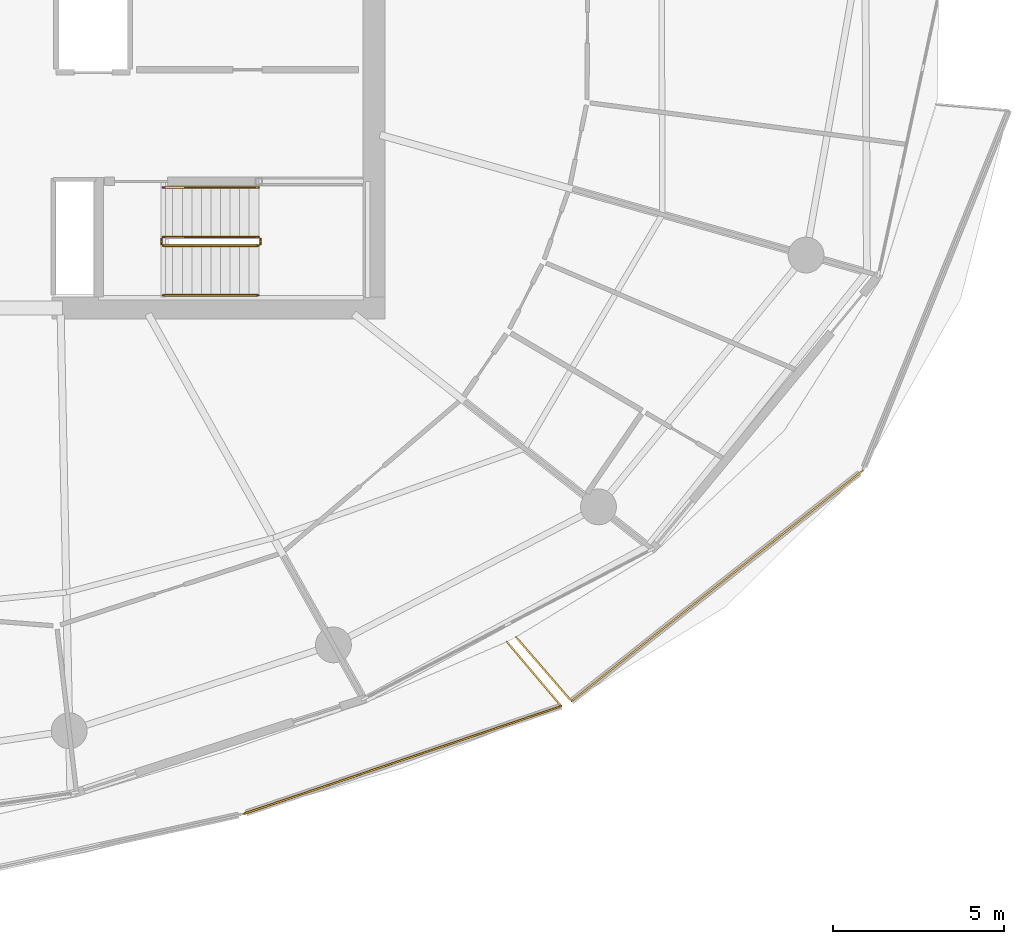
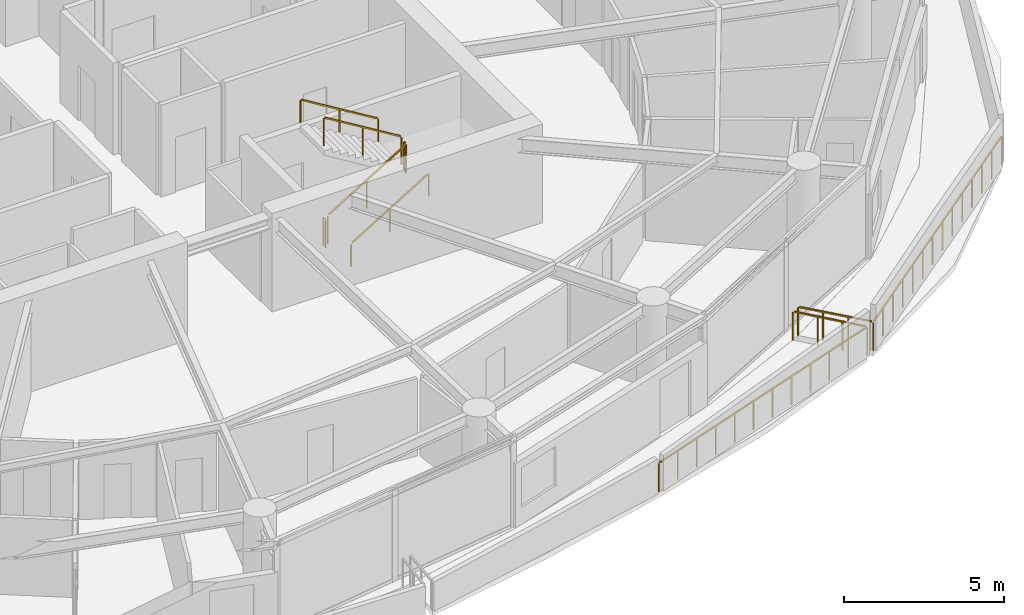
# One storey, part 18 of 20: 10 railings.
"""IFC4 building model written with IfcOpenShell, lengths in metres."""

from ifc_helpers import new_model, si_unit, direction, frame, origin, origin_2d, place, context, subcontext, project, spatial, rectangle, extrude, material, type_object, element, save


model = new_model("IFC4")

# Units and contexts
model_context = context("Model", 3, precision=1e-05, world=origin(), true_north=direction((0.0, 1.0)))
body_context = subcontext(model_context, "Body", "Model", "MODEL_VIEW")
ifc_project = project(units=[si_unit("LENGTHUNIT", "METRE"), si_unit("AREAUNIT", "SQUARE_METRE"), si_unit("VOLUMEUNIT", "CUBIC_METRE"), si_unit("PLANEANGLEUNIT", "RADIAN"), si_unit("MASSUNIT", "GRAM", prefix="KILO")], contexts=[model_context])

# Site, building, storey
site_placement = place(None, origin())
site = spatial("IfcSite", under=ifc_project, at=site_placement, CompositionType="ELEMENT")
building_placement = place(site_placement, origin())
building = spatial("IfcBuilding", under=site, at=building_placement, Name="Kazma Halo Residences", CompositionType="ELEMENT")
storey_placement = place(building_placement, frame((0.0, 0.0, 217.800048828125)))
storey = spatial("IfcBuildingStorey", under=building, at=storey_placement, Name="L55", CompositionType="ELEMENT", Elevation=217.800048828125)

# Railings
ifc_material_1 = material(Name="Aluminium AW-6063 T6 Brushed Cap Rail", Category="aluminium")
railing_type_1 = type_object("IfcRailingType", Name="RLG-BAL-CAP-1120", PredefinedType="BALUSTRADE", material=ifc_material_1)
railing_1_placement = place(storey_placement, frame((55.520263671875, 18.855224609375, 0.0)))
element("IfcRailing", 1, at=railing_1_placement, inside=storey, type_object=railing_type_1, Name="L55 SSE wave balcony guard 3", PredefinedType="BALUSTRADE", context=body_context, shape_type="SweptSolid", body=[
    extrude(rectangle(XDim=0.050048828125, YDim=0.050048828125, at=origin_2d()), frame((0.040283203125, 0.013671875, 1.09521484375), z_axis=(0.947045836606, 0.321098401379, 0.0), x_axis=(-0.321098401379, 0.947045836606, 0.0)), (0.0, 0.0, 1.0), 9.77099609375),
    extrude(rectangle(XDim=0.0400390625, YDim=0.0400390625, at=origin_2d()), origin(), (0.0, 0.0, 1.0), 1.05810546875),
    extrude(rectangle(XDim=0.0400390625, YDim=0.0400390625, at=origin_2d()), frame((0.8486328125, 0.28759765625, 0.0)), (0.0, 0.0, 1.0), 1.05810546875),
    extrude(rectangle(XDim=0.0400390625, YDim=0.0400390625, at=origin_2d()), frame((1.697021484375, 0.575439453125, 0.0)), (0.0, 0.0, 1.0), 1.05810546875),
    extrude(rectangle(XDim=0.0400390625, YDim=0.0400390625, at=origin_2d()), frame((2.545654296875, 0.863037109375, 0.0)), (0.0, 0.0, 1.0), 1.05810546875),
    extrude(rectangle(XDim=0.0400390625, YDim=0.0400390625, at=origin_2d()), frame((3.394287109375, 1.15087890625, 0.0)), (0.0, 0.0, 1.0), 1.05810546875),
    extrude(rectangle(XDim=0.0400390625, YDim=0.0400390625, at=origin_2d()), frame((4.242919921875, 1.4384765625, 0.0)), (0.0, 0.0, 1.0), 1.05810546875),
    extrude(rectangle(XDim=0.0400390625, YDim=0.0400390625, at=origin_2d()), frame((5.09130859375, 1.726318359375, 0.0)), (0.0, 0.0, 1.0), 1.05810546875),
    extrude(rectangle(XDim=0.0400390625, YDim=0.0400390625, at=origin_2d()), frame((5.93994140625, 2.013916015625, 0.0)), (0.0, 0.0, 1.0), 1.05810546875),
    extrude(rectangle(XDim=0.0400390625, YDim=0.0400390625, at=origin_2d()), frame((6.78857421875, 2.3017578125, 0.0)), (0.0, 0.0, 1.0), 1.05810546875),
    extrude(rectangle(XDim=0.0400390625, YDim=0.0400390625, at=origin_2d()), frame((7.63720703125, 2.58935546875, 0.0)), (0.0, 0.0, 1.0), 1.05810546875),
    extrude(rectangle(XDim=0.0400390625, YDim=0.0400390625, at=origin_2d()), frame((8.485595703125, 2.877197265625, 0.0)), (0.0, 0.0, 1.0), 1.05810546875),
    extrude(rectangle(XDim=0.0400390625, YDim=0.0400390625, at=origin_2d()), frame((9.334228515625, 3.164794921875, 0.0)), (0.0, 0.0, 1.0), 1.05810546875),
])
railing_2_placement = place(storey_placement, frame((64.8544921875, 22.02001953125, 0.0)))
element("IfcRailing", 2, at=railing_2_placement, inside=storey, type_object=railing_type_1, Name="L55 SSE wave balcony guard 4", PredefinedType="BALUSTRADE", context=body_context, shape_type="SweptSolid", body=[
    extrude(rectangle(XDim=0.050048828125, YDim=0.050048828125, at=origin_2d()), frame((-0.02734375, 0.032470703125, 1.09521484375), z_axis=(-0.644760664692, 0.764384514015, 0.0), x_axis=(-0.764384514015, -0.644760664692, 0.0)), (0.0, 0.0, 1.0), 2.38037109375),
    extrude(rectangle(XDim=0.0400390625, YDim=0.0400390625, at=origin_2d()), origin(), (0.0, 0.0, 1.0), 1.05810546875),
    extrude(rectangle(XDim=0.0400390625, YDim=0.0400390625, at=origin_2d()), frame((-0.52978515625, 0.628173828125, 0.0)), (0.0, 0.0, 1.0), 1.05810546875),
    extrude(rectangle(XDim=0.0400390625, YDim=0.0400390625, at=origin_2d()), frame((-1.059814453125, 1.25634765625, 0.0)), (0.0, 0.0, 1.0), 1.05810546875),
    extrude(rectangle(XDim=0.0400390625, YDim=0.0400390625, at=origin_2d()), frame((-1.589599609375, 1.884521484375, 0.0)), (0.0, 0.0, 1.0), 1.05810546875),
])
railing_3_placement = place(storey_placement, frame((63.528564453125, 24.041748046875, 0.0)))
element("IfcRailing", 3, at=railing_3_placement, inside=storey, type_object=railing_type_1, Name="L55 SE wave balcony guard 1", PredefinedType="BALUSTRADE", context=body_context, shape_type="SweptSolid", body=[
    extrude(rectangle(XDim=0.050048828125, YDim=0.050048828125, at=origin_2d()), frame((0.02783203125, -0.0322265625, 1.09521484375), z_axis=(0.654088095175, -0.756418378776, 0.0), x_axis=(0.756418378776, 0.654088095175, 0.0)), (0.0, 0.0, 1.0), 2.3984375),
    extrude(rectangle(XDim=0.0400390625, YDim=0.0400390625, at=origin_2d()), origin(), (0.0, 0.0, 1.0), 1.05810546875),
    extrude(rectangle(XDim=0.0400390625, YDim=0.0400390625, at=origin_2d()), frame((0.54150390625, -0.626220703125, 0.0)), (0.0, 0.0, 1.0), 1.05810546875),
    extrude(rectangle(XDim=0.0400390625, YDim=0.0400390625, at=origin_2d()), frame((1.0830078125, -1.25244140625, 0.0)), (0.0, 0.0, 1.0), 1.05810546875),
    extrude(rectangle(XDim=0.0400390625, YDim=0.0400390625, at=origin_2d()), frame((1.62451171875, -1.878662109375, 0.0)), (0.0, 0.0, 1.0), 1.05810546875),
])
railing_4_placement = place(storey_placement, frame((65.153076171875, 22.1630859375, 0.0)))
element("IfcRailing", 4, at=railing_4_placement, inside=storey, type_object=railing_type_1, Name="L55 SE wave balcony guard 2", PredefinedType="BALUSTRADE", context=body_context, shape_type="SweptSolid", body=[
    extrude(rectangle(XDim=0.050048828125, YDim=0.050048828125, at=origin_2d()), frame((0.033447265625, 0.0263671875, 1.09521484375), z_axis=(0.783927468115, 0.620852417838, 0.0), x_axis=(-0.620852417838, 0.783927468115, 0.0)), (0.0, 0.0, 1.0), 10.79150390625),
    extrude(rectangle(XDim=0.0400390625, YDim=0.0400390625, at=origin_2d()), origin(), (0.0, 0.0, 1.0), 1.05810546875),
    extrude(rectangle(XDim=0.0400390625, YDim=0.0400390625, at=origin_2d()), frame((0.65576171875, 0.51953125, 0.0)), (0.0, 0.0, 1.0), 1.05810546875),
    extrude(rectangle(XDim=0.0400390625, YDim=0.0400390625, at=origin_2d()), frame((1.311767578125, 1.038818359375, 0.0)), (0.0, 0.0, 1.0), 1.05810546875),
    extrude(rectangle(XDim=0.0400390625, YDim=0.0400390625, at=origin_2d()), frame((1.967529296875, 1.558349609375, 0.0)), (0.0, 0.0, 1.0), 1.05810546875),
    extrude(rectangle(XDim=0.0400390625, YDim=0.0400390625, at=origin_2d()), frame((2.62353515625, 2.07763671875, 0.0)), (0.0, 0.0, 1.0), 1.05810546875),
    extrude(rectangle(XDim=0.0400390625, YDim=0.0400390625, at=origin_2d()), frame((3.279296875, 2.59716796875, 0.0)), (0.0, 0.0, 1.0), 1.05810546875),
    extrude(rectangle(XDim=0.0400390625, YDim=0.0400390625, at=origin_2d()), frame((3.935302734375, 3.11669921875, 0.0)), (0.0, 0.0, 1.0), 1.05810546875),
    extrude(rectangle(XDim=0.0400390625, YDim=0.0400390625, at=origin_2d()), frame((4.591064453125, 3.635986328125, 0.0)), (0.0, 0.0, 1.0), 1.05810546875),
    extrude(rectangle(XDim=0.0400390625, YDim=0.0400390625, at=origin_2d()), frame((5.2470703125, 4.155517578125, 0.0)), (0.0, 0.0, 1.0), 1.05810546875),
    extrude(rectangle(XDim=0.0400390625, YDim=0.0400390625, at=origin_2d()), frame((5.90283203125, 4.675048828125, 0.0)), (0.0, 0.0, 1.0), 1.05810546875),
    extrude(rectangle(XDim=0.0400390625, YDim=0.0400390625, at=origin_2d()), frame((6.558837890625, 5.1943359375, 0.0)), (0.0, 0.0, 1.0), 1.05810546875),
    extrude(rectangle(XDim=0.0400390625, YDim=0.0400390625, at=origin_2d()), frame((7.214599609375, 5.7138671875, 0.0)), (0.0, 0.0, 1.0), 1.05810546875),
    extrude(rectangle(XDim=0.0400390625, YDim=0.0400390625, at=origin_2d()), frame((7.87060546875, 6.233154296875, 0.0)), (0.0, 0.0, 1.0), 1.05810546875),
    extrude(rectangle(XDim=0.0400390625, YDim=0.0400390625, at=origin_2d()), frame((8.5263671875, 6.752685546875, 0.0)), (0.0, 0.0, 1.0), 1.05810546875),
])
ifc_material_2 = material(Name="Painted Steel S355", Category="steel")
railing_type_2 = type_object("IfcRailingType", Name="RLG-STAIR-GRD-1100", PredefinedType="GUARDRAIL", material=ifc_material_2)
railing_5_placement = place(storey_placement, frame((53.199951171875, 35.5, 0.17041015625)))
element("IfcRailing", 5, at=railing_5_placement, inside=storey, type_object=railing_type_2, Name="L55 ST-03 stair guard 1", PredefinedType="GUARDRAIL", context=body_context, shape_type="SweptSolid", body=[
    extrude(rectangle(XDim=0.050048828125, YDim=0.050048828125, at=origin_2d()), frame((0.036376953125, 0.0, 1.09716796875), z_axis=(0.854169791009, 0.0, 0.51999420009), x_axis=(0.0, 1.0, 0.0)), (0.0, 0.0, 1.0), 3.193115234375),
    extrude(rectangle(XDim=0.0400390625, YDim=0.0400390625, at=origin_2d()), origin(), (0.0, 0.0, 1.0), 1.0380859375),
    extrude(rectangle(XDim=0.0400390625, YDim=0.0400390625, at=origin_2d()), frame((1.39990234375, 0.0, 0.852294921875)), (0.0, 0.0, 1.0), 1.0380859375),
    extrude(rectangle(XDim=0.0400390625, YDim=0.0400390625, at=origin_2d()), frame((2.800048828125, 0.0, 1.70458984375)), (0.0, 0.0, 1.0), 1.0380859375),
])
railing_6_placement = place(storey_placement, frame((56.050048828125, 35.550048828125, 1.875)))
element("IfcRailing", 6, at=railing_6_placement, inside=storey, type_object=railing_type_2, Name="L55 ST-03 stair guard 2", PredefinedType="GUARDRAIL", context=body_context, shape_type="SweptSolid", body=[
    extrude(rectangle(XDim=0.050048828125, YDim=0.050048828125, at=origin_2d()), frame((0.0, 0.04248046875, 1.0751953125), z_axis=(0.0, 1.0, 0.0), x_axis=(-1.0, 0.0, 0.0)), (0.0, 0.0, 1.0), 0.06494140625),
    extrude(rectangle(XDim=0.0400390625, YDim=0.0400390625, at=origin_2d()), origin(), (0.0, 0.0, 1.0), 1.0380859375),
    extrude(rectangle(XDim=0.0400390625, YDim=0.0400390625, at=origin_2d()), frame((0.0, 0.14990234375, 0.0)), (0.0, 0.0, 1.0), 1.0380859375),
])
railing_7_placement = place(storey_placement, frame((56.0, 35.75, 2.04541015625)))
element("IfcRailing", 7, at=railing_7_placement, inside=storey, type_object=railing_type_2, Name="L55 ST-03 stair guard 3", PredefinedType="GUARDRAIL", context=body_context, shape_type="SweptSolid", body=[
    extrude(rectangle(XDim=0.050048828125, YDim=0.050048828125, at=origin_2d()), frame((-0.036376953125, 0.0, 1.09716796875), z_axis=(-0.854169791009, 0.0, 0.51999420009), x_axis=(0.0, -1.0, 0.0)), (0.0, 0.0, 1.0), 3.193115234375),
    extrude(rectangle(XDim=0.0400390625, YDim=0.0400390625, at=origin_2d()), origin(), (0.0, 0.0, 1.0), 1.0380859375),
    extrude(rectangle(XDim=0.0400390625, YDim=0.0400390625, at=origin_2d()), frame((-1.39990234375, 0.0, 0.852294921875)), (0.0, 0.0, 1.0), 1.0380859375),
    extrude(rectangle(XDim=0.0400390625, YDim=0.0400390625, at=origin_2d()), frame((-2.800048828125, 0.0, 1.70458984375)), (0.0, 0.0, 1.0), 1.0380859375),
])
railing_8_placement = place(storey_placement, frame((53.14990234375, 35.550048828125, 0.0)))
element("IfcRailing", 8, at=railing_8_placement, inside=storey, type_object=railing_type_2, Name="L55 ST-03 stair guard 4", PredefinedType="GUARDRAIL", context=body_context, shape_type="SweptSolid", body=[
    extrude(rectangle(XDim=0.050048828125, YDim=0.050048828125, at=origin_2d()), frame((0.0, 0.04248046875, 1.0751953125), z_axis=(0.0, 1.0, 0.0), x_axis=(-1.0, 0.0, 0.0)), (0.0, 0.0, 1.0), 0.06494140625),
    extrude(rectangle(XDim=0.0400390625, YDim=0.0400390625, at=origin_2d()), origin(), (0.0, 0.0, 1.0), 1.0380859375),
    extrude(rectangle(XDim=0.0400390625, YDim=0.0400390625, at=origin_2d()), frame((0.0, 0.14990234375, 0.0)), (0.0, 0.0, 1.0), 1.0380859375),
])
ifc_material_3 = material(Name="Brushed Stainless Steel", Category="steel")
railing_type_3 = type_object("IfcRailingType", Name="RLG-STAIR-HND-900", PredefinedType="HANDRAIL", material=ifc_material_3)
railing_9_placement = place(storey_placement, frame((53.199951171875, 34.050048828125, 0.17041015625)))
element("IfcRailing", 9, at=railing_9_placement, inside=storey, type_object=railing_type_3, Name="L55 ST-03 stair handrail 1", PredefinedType="HANDRAIL", context=body_context, shape_type="SweptSolid", body=[
    extrude(rectangle(XDim=0.050048828125, YDim=0.050048828125, at=origin_2d()), frame((0.036376953125, 0.0, 0.89697265625), z_axis=(0.854169791009, 0.0, 0.51999420009), x_axis=(0.0, 1.0, 0.0)), (0.0, 0.0, 1.0), 3.193115234375),
    extrude(rectangle(XDim=0.0400390625, YDim=0.0400390625, at=origin_2d()), origin(), (0.0, 0.0, 1.0), 0.837890625),
    extrude(rectangle(XDim=0.0400390625, YDim=0.0400390625, at=origin_2d()), frame((1.39990234375, 0.0, 0.852294921875)), (0.0, 0.0, 1.0), 0.837890625),
    extrude(rectangle(XDim=0.0400390625, YDim=0.0400390625, at=origin_2d()), frame((2.800048828125, 0.0, 1.70458984375)), (0.0, 0.0, 1.0), 0.837890625),
])
railing_10_placement = place(storey_placement, frame((56.0, 37.199951171875, 2.04541015625)))
element("IfcRailing", 10, at=railing_10_placement, inside=storey, type_object=railing_type_3, Name="L55 ST-03 stair handrail 2", PredefinedType="HANDRAIL", context=body_context, shape_type="SweptSolid", body=[
    extrude(rectangle(XDim=0.050048828125, YDim=0.050048828125, at=origin_2d()), frame((-0.036376953125, 0.0, 0.89697265625), z_axis=(-0.854169791009, 0.0, 0.51999420009), x_axis=(0.0, -1.0, 0.0)), (0.0, 0.0, 1.0), 3.193115234375),
    extrude(rectangle(XDim=0.0400390625, YDim=0.0400390625, at=origin_2d()), origin(), (0.0, 0.0, 1.0), 0.837890625),
    extrude(rectangle(XDim=0.0400390625, YDim=0.0400390625, at=origin_2d()), frame((-1.39990234375, 0.0, 0.852294921875)), (0.0, 0.0, 1.0), 0.837890625),
    extrude(rectangle(XDim=0.0400390625, YDim=0.0400390625, at=origin_2d()), frame((-2.800048828125, 0.0, 1.70458984375)), (0.0, 0.0, 1.0), 0.837890625),
])

save(model, "model.ifc")
